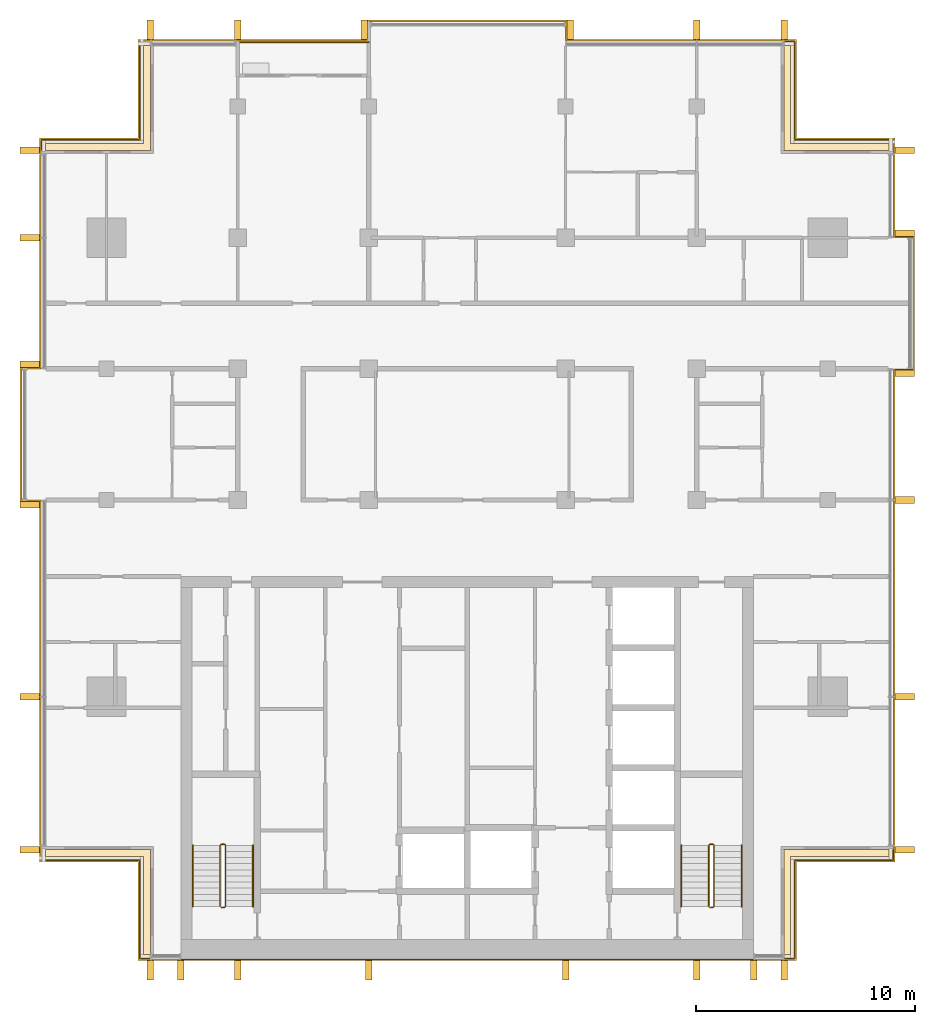
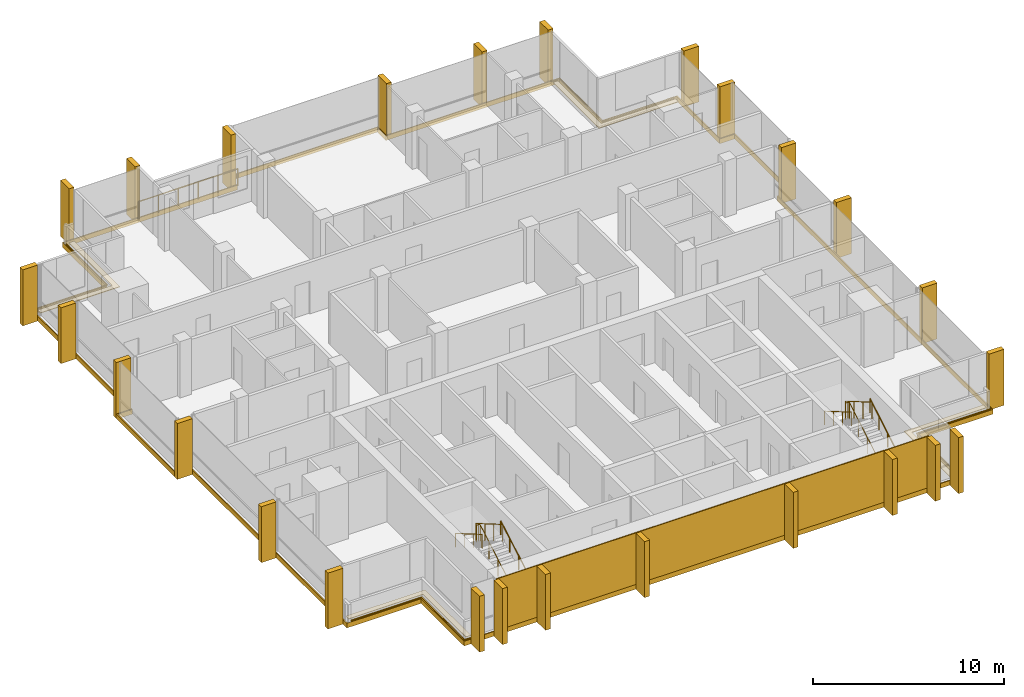
# One storey, part 16 of 16: 26 shading devices, 14 coverings, 7 railings.
"""IFC4 building model written with IfcOpenShell, lengths in metres."""

from ifc_helpers import new_model, si_unit, direction, frame, origin, origin_2d, place, context, subcontext, project, spatial, polyline, rectangle, circle, outline, extrude, material, layer, layer_set, type_object, element, save


model = new_model("IFC4")

# Units and contexts
model_context = context("Model", 3, precision=1e-05, world=origin(), true_north=direction((0.0, 1.0)))
body_context = subcontext(model_context, "Body", "Model", "MODEL_VIEW")
ifc_project = project(units=[si_unit("LENGTHUNIT", "METRE"), si_unit("AREAUNIT", "SQUARE_METRE"), si_unit("VOLUMEUNIT", "CUBIC_METRE"), si_unit("PLANEANGLEUNIT", "RADIAN"), si_unit("MASSUNIT", "GRAM", prefix="KILO")], contexts=[model_context])

# Site, building, storey
site_placement = place(None, origin())
site = spatial("IfcSite", under=ifc_project, at=site_placement, CompositionType="ELEMENT")
building_placement = place(site_placement, origin())
building = spatial("IfcBuilding", under=site, at=building_placement, Name="Finial Court Residences", CompositionType="ELEMENT")
storey_placement = place(building_placement, frame((0.0, 0.0, 255.5)))
storey = spatial("IfcBuildingStorey", under=building, at=storey_placement, Name="L64", CompositionType="ELEMENT", Elevation=255.5)

# Railing
ifc_material_1 = material(Name="Bronze anodised aluminium", Category="aluminium")
railing_type_1 = type_object("IfcRailingType", Name="Balcony guard 1100", PredefinedType="GUARDRAIL", material=ifc_material_1)
railing_1_placement = place(storey_placement, frame((-10.5, 16.449951171875, 0.0)))
element("IfcRailing", 1, at=railing_1_placement, inside=storey, type_object=railing_type_1, Name="E-L64-BALN2-R", PredefinedType="GUARDRAIL", context=body_context, shape_type="SweptSolid", body=[
    extrude(circle(Radius=0.02392578125, at=origin_2d()), frame((0.0, 0.0, 1.076171875), z_axis=(1.0, 0.0, 0.0), x_axis=(0.0, 1.0, 0.0)), (0.0, 0.0, 1.0), 6.0),
    extrude(circle(Radius=0.02099609375, at=origin_2d()), origin(), (0.0, 0.0, 1.0), 1.052001953125),
    extrude(circle(Radius=0.02099609375, at=origin_2d()), frame((1.199951171875, 0.0, 0.0)), (0.0, 0.0, 1.0), 1.052001953125),
    extrude(circle(Radius=0.02099609375, at=origin_2d()), frame((2.39990234375, 0.0, 0.0)), (0.0, 0.0, 1.0), 1.052001953125),
    extrude(circle(Radius=0.02099609375, at=origin_2d()), frame((3.60009765625, 0.0, 0.0)), (0.0, 0.0, 1.0), 1.052001953125),
    extrude(circle(Radius=0.02099609375, at=origin_2d()), frame((4.800048828125, 0.0, 0.0)), (0.0, 0.0, 1.0), 1.052001953125),
    extrude(circle(Radius=0.02099609375, at=origin_2d()), frame((6.0, 0.0, 0.0)), (0.0, 0.0, 1.0), 1.052001953125),
])

# Coverings
ifc_material_2 = material(Name="Natural limestone", Category="masonry")
ifc_layer_1 = layer(ifc_material_2, 0.06005859375)
ifc_layer_set_1 = layer_set([ifc_layer_1], Name="Limestone cladding to the blind core face 60")
covering_type_1 = type_object("IfcCoveringType", Name="Limestone cladding to the blind core face 60", PredefinedType="CLADDING", material=ifc_layer_set_1)
covering_1_placement = place(storey_placement, origin())
element("IfcCovering", 2, at=covering_1_placement, inside=storey, type_object=covering_type_1, Name="E-L64-CLAD1", PredefinedType="CLADDING", context=body_context, shape_type="SweptSolid", body=[
    extrude(outline(polyline([(-10.5, -25.56005859375), (-10.5, -25.5), (-13.10009765625, -25.5), (-13.10009765625, -25.56005859375), (-10.5, -25.56005859375)])), origin(), (0.0, 0.0, 1.0), 3.300048828125),
])
covering_2_placement = place(storey_placement, origin())
element("IfcCovering", 3, at=covering_2_placement, inside=storey, type_object=covering_type_1, Name="E-L64-CLAD2", PredefinedType="CLADDING", context=body_context, shape_type="SweptSolid", body=[
    extrude(outline(polyline([(-4.5, -25.56005859375), (-4.5, -25.5), (-10.5, -25.5), (-10.5, -25.56005859375), (-4.5, -25.56005859375)])), origin(), (0.0, 0.0, 1.0), 3.300048828125),
])
covering_3_placement = place(storey_placement, origin())
element("IfcCovering", 4, at=covering_3_placement, inside=storey, type_object=covering_type_1, Name="E-L64-CLAD3", PredefinedType="CLADDING", context=body_context, shape_type="SweptSolid", body=[
    extrude(outline(polyline([(4.5, -25.56005859375), (4.5, -25.5), (-4.5, -25.5), (-4.5, -25.56005859375), (4.5, -25.56005859375)])), origin(), (0.0, 0.0, 1.0), 3.300048828125),
])
covering_4_placement = place(storey_placement, origin())
element("IfcCovering", 5, at=covering_4_placement, inside=storey, type_object=covering_type_1, Name="E-L64-CLAD4", PredefinedType="CLADDING", context=body_context, shape_type="SweptSolid", body=[
    extrude(outline(polyline([(10.5, -25.56005859375), (10.5, -25.5), (4.5, -25.5), (4.5, -25.56005859375), (10.5, -25.56005859375)])), origin(), (0.0, 0.0, 1.0), 3.300048828125),
])
covering_5_placement = place(storey_placement, origin())
element("IfcCovering", 6, at=covering_5_placement, inside=storey, type_object=covering_type_1, Name="E-L64-CLAD5", PredefinedType="CLADDING", context=body_context, shape_type="SweptSolid", body=[
    extrude(outline(polyline([(13.10009765625, -25.56005859375), (13.10009765625, -25.5), (10.5, -25.5), (10.5, -25.56005859375), (13.10009765625, -25.56005859375)])), origin(), (0.0, 0.0, 1.0), 3.300048828125),
])

# Shading devices
shading_device_type = type_object("IfcShadingDeviceType", Name="Limestone fin 300 x 900", PredefinedType="USERDEFINED", material=ifc_material_2)
for number, where, z_axis, x_axis, name in (
    (7, (-14.5, 17.010009765625, -0.300048828125), (0.0, 0.0, 1.0), (1.0, 0.0, 0.0), "E-L64-FIN-N1"),
    (8, (-10.5, 17.010009765625, -0.300048828125), (0.0, 0.0, 1.0), (1.0, 0.0, 0.0), "E-L64-FIN-N2"),
    (9, (-4.7099609375, 17.010009765625, -0.300048828125), (0.0, 0.0, 1.0), (1.0, 0.0, 0.0), "E-L64-FIN-N3"),
    (10, (4.7099609375, 17.010009765625, -0.300048828125), (0.0, 0.0, 1.0), (1.0, 0.0, 0.0), "E-L64-FIN-N4"),
    (11, (10.5, 17.010009765625, -0.300048828125), (0.0, 0.0, 1.0), (1.0, 0.0, 0.0), "E-L64-FIN-N5"),
    (12, (14.5, 17.010009765625, -0.300048828125), (0.0, 0.0, 1.0), (1.0, 0.0, 0.0), "E-L64-FIN-N6"),
):
    element("IfcShadingDevice", number, at=place(storey_placement, frame(where, z_axis=z_axis, x_axis=x_axis)), inside=storey, type_object=shading_device_type, Name=name, ObjectType="FIN", PredefinedType="USERDEFINED", context=body_context, shape_type="SweptSolid", body=[
        extrude(rectangle(XDim=0.300048828125, YDim=0.89990234375, at=origin_2d()), origin(), (0.0, 0.0, 1.0), 3.580078125),
    ])
for number, where, z_axis, x_axis, name in (
    (13, (20.010009765625, -20.5, -0.300048828125), (0.0, 0.0, 1.0), (1.0, 0.0, 0.0), "E-L64-FIN-E7"),
    (14, (20.010009765625, -13.5, -0.300048828125), (0.0, 0.0, 1.0), (1.0, 0.0, 0.0), "E-L64-FIN-E8"),
    (15, (20.010009765625, -4.5, -0.300048828125), (0.0, 0.0, 1.0), (1.0, 0.0, 0.0), "E-L64-FIN-E9"),
    (16, (20.010009765625, 1.2900390625, -0.300048828125), (0.0, 0.0, 1.0), (1.0, 0.0, 0.0), "E-L64-FIN-E10"),
    (17, (20.010009765625, 7.7099609375, -0.300048828125), (0.0, 0.0, 1.0), (1.0, 0.0, 0.0), "E-L64-FIN-E11"),
    (18, (20.010009765625, 11.5, -0.300048828125), (0.0, 0.0, 1.0), (1.0, 0.0, 0.0), "E-L64-FIN-E12"),
):
    element("IfcShadingDevice", number, at=place(storey_placement, frame(where, z_axis=z_axis, x_axis=x_axis)), inside=storey, type_object=shading_device_type, Name=name, ObjectType="FIN", PredefinedType="USERDEFINED", context=body_context, shape_type="SweptSolid", body=[
        extrude(rectangle(XDim=0.89990234375, YDim=0.300048828125, at=origin_2d()), origin(), (0.0, 0.0, 1.0), 3.580078125),
    ])
for number, where, z_axis, x_axis, name in (
    (19, (-14.5, -26.010009765625, -0.300048828125), (0.0, 0.0, 1.0), (1.0, 0.0, 0.0), "E-L64-FIN-S13"),
    (20, (-13.10009765625, -26.010009765625, -0.300048828125), (0.0, 0.0, 1.0), (1.0, 0.0, 0.0), "E-L64-FIN-S14"),
    (21, (-10.5, -26.010009765625, -0.300048828125), (0.0, 0.0, 1.0), (1.0, 0.0, 0.0), "E-L64-FIN-S15"),
    (22, (-4.5, -26.010009765625, -0.300048828125), (0.0, 0.0, 1.0), (1.0, 0.0, 0.0), "E-L64-FIN-S16"),
    (23, (4.5, -26.010009765625, -0.300048828125), (0.0, 0.0, 1.0), (1.0, 0.0, 0.0), "E-L64-FIN-S17"),
    (24, (10.5, -26.010009765625, -0.300048828125), (0.0, 0.0, 1.0), (1.0, 0.0, 0.0), "E-L64-FIN-S18"),
    (25, (13.10009765625, -26.010009765625, -0.300048828125), (0.0, 0.0, 1.0), (1.0, 0.0, 0.0), "E-L64-FIN-S19"),
    (26, (14.5, -26.010009765625, -0.300048828125), (0.0, 0.0, 1.0), (1.0, 0.0, 0.0), "E-L64-FIN-S20"),
):
    element("IfcShadingDevice", number, at=place(storey_placement, frame(where, z_axis=z_axis, x_axis=x_axis)), inside=storey, type_object=shading_device_type, Name=name, ObjectType="FIN", PredefinedType="USERDEFINED", context=body_context, shape_type="SweptSolid", body=[
        extrude(rectangle(XDim=0.300048828125, YDim=0.89990234375, at=origin_2d()), origin(), (0.0, 0.0, 1.0), 3.580078125),
    ])
for number, where, z_axis, x_axis, name in (
    (27, (-20.010009765625, -20.5, -0.300048828125), (0.0, 0.0, 1.0), (1.0, 0.0, 0.0), "E-L64-FIN-W21"),
    (28, (-20.010009765625, -13.5, -0.300048828125), (0.0, 0.0, 1.0), (1.0, 0.0, 0.0), "E-L64-FIN-W22"),
    (29, (-20.010009765625, -4.7099609375, -0.300048828125), (0.0, 0.0, 1.0), (1.0, 0.0, 0.0), "E-L64-FIN-W23"),
    (30, (-20.010009765625, 1.7099609375, -0.300048828125), (0.0, 0.0, 1.0), (1.0, 0.0, 0.0), "E-L64-FIN-W24"),
    (31, (-20.010009765625, 7.5, -0.300048828125), (0.0, 0.0, 1.0), (1.0, 0.0, 0.0), "E-L64-FIN-W25"),
    (32, (-20.010009765625, 11.5, -0.300048828125), (0.0, 0.0, 1.0), (1.0, 0.0, 0.0), "E-L64-FIN-W26"),
):
    element("IfcShadingDevice", number, at=place(storey_placement, frame(where, z_axis=z_axis, x_axis=x_axis)), inside=storey, type_object=shading_device_type, Name=name, ObjectType="FIN", PredefinedType="USERDEFINED", context=body_context, shape_type="SweptSolid", body=[
        extrude(rectangle(XDim=0.89990234375, YDim=0.300048828125, at=origin_2d()), origin(), (0.0, 0.0, 1.0), 3.580078125),
    ])

# Coverings
ifc_material_3 = material(Name="Pale limestone", Category="masonry")
ifc_layer_2 = layer(ifc_material_3, 0.06005859375)
ifc_layer_set_2 = layer_set([ifc_layer_2], Name="Pale limestone slab-edge band 60")
covering_type_2 = type_object("IfcCoveringType", Name="Pale limestone slab-edge band 60", PredefinedType="CLADDING", material=ifc_layer_set_2)
covering_6_placement = place(storey_placement, frame((0.0, 0.0, -0.300048828125)))
element("IfcCovering", 33, at=covering_6_placement, inside=storey, type_object=covering_type_2, Name="E-L64-BAND1", PredefinedType="CLADDING", context=body_context, shape_type="SweptSolid", body=[
    extrude(outline(polyline([(-20.4599609375, -4.56005859375), (-20.4599609375, 1.56005859375), (-19.56005859375, 1.56005859375), (-19.56005859375, 12.06005859375), (-15.06005859375, 12.06005859375), (-15.06005859375, 16.56005859375), (-4.56005859375, 16.56005859375), (-4.56005859375, 17.4599609375), (4.56005859375, 17.4599609375), (4.56005859375, 16.56005859375), (15.06005859375, 16.56005859375), (15.06005859375, 12.06005859375), (19.56005859375, 12.06005859375), (19.56005859375, 7.56005859375), (20.4599609375, 7.56005859375), (20.4599609375, 1.43994140625), (19.56005859375, 1.43994140625), (19.56005859375, -21.06005859375), (15.06005859375, -21.06005859375), (15.06005859375, -25.56005859375), (-15.06005859375, -25.56005859375), (-15.06005859375, -21.06005859375), (-19.56005859375, -21.06005859375), (-19.56005859375, -4.56005859375), (-20.4599609375, -4.56005859375)]), holes=[polyline([(-19.5, -21.0), (-15.0, -21.0), (-15.0, -25.5), (-14.5, -25.5), (14.5, -25.5), (15.0, -25.5), (15.0, -21.0), (19.5, -21.0), (19.5, -20.5), (19.5, 1.5), (20.39990234375, 1.5), (20.39990234375, 7.5), (19.5, 7.5), (19.5, 11.5), (19.5, 12.0), (15.0, 12.0), (15.0, 16.5), (14.5, 16.5), (4.5, 16.5), (4.5, 17.39990234375), (-4.5, 17.39990234375), (-4.5, 16.5), (-10.5, 16.5), (-14.5, 16.5), (-15.0, 16.5), (-15.0, 12.0), (-19.5, 12.0), (-19.5, 11.5), (-19.5, 1.5), (-20.39990234375, 1.5), (-20.39990234375, -4.5), (-19.5, -4.5), (-19.5, -20.5), (-19.5, -21.0)])]), origin(), (0.0, 0.0, 1.0), 0.300048828125),
])
ifc_material_4 = material(Name="Bitumen membrane")
ifc_layer_3 = layer(ifc_material_4, 0.0400390625)
ifc_layer_set_3 = layer_set([ifc_layer_3], Name="Push box roofing, bitumen membrane 40")
covering_type_3 = type_object("IfcCoveringType", Name="Push box roofing, bitumen membrane 40", PredefinedType="ROOFING", material=ifc_layer_set_3)
covering_7_placement = place(storey_placement, origin())
element("IfcCovering", 34, at=covering_7_placement, inside=storey, type_object=covering_type_3, Name="E-L64-LED1", PredefinedType="ROOFING", context=body_context, shape_type="SweptSolid", body=[
    extrude(outline(polyline([(19.300048828125, -20.5), (19.300048828125, -20.800048828125), (14.800048828125, -20.800048828125), (14.800048828125, -20.949951171875), (14.800048828125, -25.300048828125), (14.5, -25.300048828125), (14.5, -20.5), (19.300048828125, -20.5)])), origin(), (0.0, 0.0, 1.0), 0.0400390625),
])
covering_8_placement = place(storey_placement, origin())
element("IfcCovering", 35, at=covering_8_placement, inside=storey, type_object=covering_type_3, Name="E-L64-LED1b", PredefinedType="ROOFING", context=body_context, shape_type="SweptSolid", body=[
    extrude(outline(polyline([(19.5, -20.5), (19.5, -21.0), (15.0, -21.0), (15.0, -25.5), (14.5, -25.5), (14.5, -25.449951171875), (14.800048828125, -25.449951171875), (14.949951171875, -25.449951171875), (14.949951171875, -20.949951171875), (19.300048828125, -20.949951171875), (19.449951171875, -20.949951171875), (19.449951171875, -20.5), (19.5, -20.5)])), origin(), (0.0, 0.0, 1.0), 0.0400390625),
])
covering_9_placement = place(storey_placement, origin())
element("IfcCovering", 36, at=covering_9_placement, inside=storey, type_object=covering_type_3, Name="E-L64-LED2c", PredefinedType="ROOFING", context=body_context, shape_type="SweptSolid", body=[
    extrude(outline(polyline([(-14.5, -20.5), (-14.5, -25.300048828125), (-14.800048828125, -25.300048828125), (-14.800048828125, -20.800048828125), (-14.949951171875, -20.800048828125), (-19.300048828125, -20.800048828125), (-19.300048828125, -20.5), (-14.5, -20.5)])), origin(), (0.0, 0.0, 1.0), 0.0400390625),
])
covering_10_placement = place(storey_placement, origin())
element("IfcCovering", 37, at=covering_10_placement, inside=storey, type_object=covering_type_3, Name="E-L64-LED2d", PredefinedType="ROOFING", context=body_context, shape_type="SweptSolid", body=[
    extrude(outline(polyline([(-14.5, -25.5), (-15.0, -25.5), (-15.0, -21.0), (-19.300048828125, -21.0), (-19.300048828125, -20.949951171875), (-14.949951171875, -20.949951171875), (-14.949951171875, -25.300048828125), (-14.949951171875, -25.449951171875), (-14.5, -25.449951171875), (-14.5, -25.5)])), origin(), (0.0, 0.0, 1.0), 0.0400390625),
])
covering_11_placement = place(storey_placement, origin())
element("IfcCovering", 38, at=covering_11_placement, inside=storey, type_object=covering_type_3, Name="E-L64-LED3c", PredefinedType="ROOFING", context=body_context, shape_type="SweptSolid", body=[
    extrude(outline(polyline([(-14.5, 11.5), (-19.300048828125, 11.5), (-19.300048828125, 11.800048828125), (-14.800048828125, 11.800048828125), (-14.800048828125, 11.949951171875), (-14.800048828125, 16.300048828125), (-14.5, 16.300048828125), (-14.5, 11.5)])), origin(), (0.0, 0.0, 1.0), 0.0400390625),
])
covering_12_placement = place(storey_placement, origin())
element("IfcCovering", 39, at=covering_12_placement, inside=storey, type_object=covering_type_3, Name="E-L64-LED3d", PredefinedType="ROOFING", context=body_context, shape_type="SweptSolid", body=[
    extrude(outline(polyline([(-19.5, 11.5), (-19.5, 12.0), (-15.0, 12.0), (-15.0, 16.300048828125), (-14.949951171875, 16.300048828125), (-14.949951171875, 11.949951171875), (-19.300048828125, 11.949951171875), (-19.449951171875, 11.949951171875), (-19.449951171875, 11.5), (-19.5, 11.5)])), origin(), (0.0, 0.0, 1.0), 0.0400390625),
])
covering_13_placement = place(storey_placement, origin())
element("IfcCovering", 40, at=covering_13_placement, inside=storey, type_object=covering_type_3, Name="E-L64-LED4c", PredefinedType="ROOFING", context=body_context, shape_type="SweptSolid", body=[
    extrude(outline(polyline([(14.5, 11.5), (14.5, 16.300048828125), (14.800048828125, 16.300048828125), (14.800048828125, 11.800048828125), (14.949951171875, 11.800048828125), (19.300048828125, 11.800048828125), (19.300048828125, 11.5), (14.5, 11.5)])), origin(), (0.0, 0.0, 1.0), 0.0400390625),
])
covering_14_placement = place(storey_placement, origin())
element("IfcCovering", 41, at=covering_14_placement, inside=storey, type_object=covering_type_3, Name="E-L64-LED4d", PredefinedType="ROOFING", context=body_context, shape_type="SweptSolid", body=[
    extrude(outline(polyline([(14.5, 16.5), (15.0, 16.5), (15.0, 12.0), (19.300048828125, 12.0), (19.300048828125, 11.949951171875), (14.949951171875, 11.949951171875), (14.949951171875, 16.300048828125), (14.949951171875, 16.449951171875), (14.5, 16.449951171875), (14.5, 16.5)])), origin(), (0.0, 0.0, 1.0), 0.0400390625),
])

# Railings
ifc_material_5 = material(Name="Stainless steel railing", Category="steel")
railing_type_2 = type_object("IfcRailingType", Name="Stair guard 1100", PredefinedType="GUARDRAIL", material=ifc_material_5)
railing_2_placement = place(storey_placement, frame((-11.10009765625, -23.14990234375, 0.0)))
element("IfcRailing", 42, at=railing_2_placement, inside=storey, type_object=railing_type_2, Name="L64 ST-1 stair guard 1", PredefinedType="GUARDRAIL", context=body_context, shape_type="SweptSolid", body=[
    extrude(circle(Radius=0.02392578125, at=origin_2d()), frame((0.0, 0.0, 1.076171875), z_axis=(-1.0, 0.0, 0.0), x_axis=(0.0, -1.0, 0.0)), (0.0, 0.0, 1.0), 0.14990234375),
    extrude(circle(Radius=0.02392578125, at=origin_2d()), frame((-0.14990234375, 0.0, 1.076171875), z_axis=(0.760004195007, 0.189305074214, 0.621737253547), x_axis=(-0.241699205484, 0.970351222016, 0.0)), (0.0, 0.0, 1.0), 0.26318359375),
    extrude(circle(Radius=0.02392578125, at=origin_2d()), frame((0.050048828125, 0.0498046875, 1.23974609375), z_axis=(0.0, 0.863360870873, 0.504586966384), x_axis=(-1.0, 0.0, 0.0)), (0.0, 0.0, 1.0), 3.2431640625),
    extrude(circle(Radius=0.02392578125, at=origin_2d()), frame((0.050048828125, 2.849853515625, 2.8759765625), z_axis=(-0.707106781187, 0.707106781187, 0.0), x_axis=(-0.707106781187, -0.707106781187, 0.0)), (0.0, 0.0, 1.0), 0.07080078125),
    extrude(circle(Radius=0.02392578125, at=origin_2d()), frame((0.0, 2.89990234375, 2.8759765625), z_axis=(-1.0, 0.0, 0.0), x_axis=(0.0, -1.0, 0.0)), (0.0, 0.0, 1.0), 0.14990234375),
    extrude(circle(Radius=0.02392578125, at=origin_2d()), frame((-0.14990234375, 2.89990234375, 2.8759765625), z_axis=(-0.280808744504, -0.280808744504, 0.917765164963), x_axis=(0.707106781187, -0.707106781187, 0.0)), (0.0, 0.0, 1.0), 0.17822265625),
    extrude(circle(Radius=0.02392578125, at=origin_2d()), frame((-0.199951171875, 2.849853515625, 3.03955078125), z_axis=(0.0, -0.863360870873, 0.504586966384), x_axis=(1.0, 0.0, 0.0)), (0.0, 0.0, 1.0), 3.2431640625),
    extrude(circle(Radius=0.02099609375, at=origin_2d()), origin(), (0.0, 0.0, 1.0), 1.052001953125),
    extrude(circle(Radius=0.02099609375, at=origin_2d()), frame((-0.14990234375, 0.0, 0.0)), (0.0, 0.0, 1.0), 1.052001953125),
    extrude(circle(Radius=0.02099609375, at=origin_2d()), frame((0.050048828125, 0.0498046875, 0.16357421875)), (0.0, 0.0, 1.0), 1.052001953125),
    extrude(circle(Radius=0.02099609375, at=origin_2d()), frame((0.050048828125, 0.983154296875, 0.708984375)), (0.0, 0.0, 1.0), 1.052001953125),
    extrude(circle(Radius=0.02099609375, at=origin_2d()), frame((0.050048828125, 1.91650390625, 1.254638671875)), (0.0, 0.0, 1.0), 1.052001953125),
    extrude(circle(Radius=0.02099609375, at=origin_2d()), frame((0.050048828125, 2.849853515625, 1.800048828125)), (0.0, 0.0, 1.0), 1.052001953125),
    extrude(circle(Radius=0.02099609375, at=origin_2d()), frame((0.0, 2.89990234375, 1.800048828125)), (0.0, 0.0, 1.0), 1.052001953125),
    extrude(circle(Radius=0.02099609375, at=origin_2d()), frame((-0.14990234375, 2.89990234375, 1.800048828125)), (0.0, 0.0, 1.0), 1.052001953125),
    extrude(circle(Radius=0.02099609375, at=origin_2d()), frame((-0.199951171875, 2.849853515625, 1.963623046875)), (0.0, 0.0, 1.0), 1.052001953125),
    extrude(circle(Radius=0.02099609375, at=origin_2d()), frame((-0.199951171875, 1.91650390625, 2.509033203125)), (0.0, 0.0, 1.0), 1.052001953125),
    extrude(circle(Radius=0.02099609375, at=origin_2d()), frame((-0.199951171875, 0.983154296875, 3.0546875)), (0.0, 0.0, 1.0), 1.052001953125),
    extrude(circle(Radius=0.02099609375, at=origin_2d()), frame((-0.199951171875, 0.0498046875, 3.60009765625)), (0.0, 0.0, 1.0), 1.052001953125),
])
railing_3_placement = place(storey_placement, frame((11.25, -23.14990234375, 0.0)))
element("IfcRailing", 43, at=railing_3_placement, inside=storey, type_object=railing_type_2, Name="L64 ST-2 stair guard 1", PredefinedType="GUARDRAIL", context=body_context, shape_type="SweptSolid", body=[
    extrude(circle(Radius=0.02392578125, at=origin_2d()), frame((0.0, 0.0, 1.076171875), z_axis=(-1.0, 0.0, 0.0), x_axis=(0.0, -1.0, 0.0)), (0.0, 0.0, 1.0), 0.14990234375),
    extrude(circle(Radius=0.02392578125, at=origin_2d()), frame((-0.14990234375, 0.0, 1.076171875), z_axis=(0.760004195007, 0.189305074214, 0.621737253547), x_axis=(-0.241699205484, 0.970351222016, 0.0)), (0.0, 0.0, 1.0), 0.26318359375),
    extrude(circle(Radius=0.02392578125, at=origin_2d()), frame((0.050048828125, 0.0498046875, 1.23974609375), z_axis=(0.0, 0.863360870873, 0.504586966384), x_axis=(-1.0, 0.0, 0.0)), (0.0, 0.0, 1.0), 3.2431640625),
    extrude(circle(Radius=0.02392578125, at=origin_2d()), frame((0.050048828125, 2.849853515625, 2.8759765625), z_axis=(-0.707106781187, 0.707106781187, 0.0), x_axis=(-0.707106781187, -0.707106781187, 0.0)), (0.0, 0.0, 1.0), 0.07080078125),
    extrude(circle(Radius=0.02392578125, at=origin_2d()), frame((0.0, 2.89990234375, 2.8759765625), z_axis=(-1.0, 0.0, 0.0), x_axis=(0.0, -1.0, 0.0)), (0.0, 0.0, 1.0), 0.14990234375),
    extrude(circle(Radius=0.02392578125, at=origin_2d()), frame((-0.14990234375, 2.89990234375, 2.8759765625), z_axis=(-0.280808744504, -0.280808744504, 0.917765164963), x_axis=(0.707106781187, -0.707106781187, 0.0)), (0.0, 0.0, 1.0), 0.17822265625),
    extrude(circle(Radius=0.02392578125, at=origin_2d()), frame((-0.199951171875, 2.849853515625, 3.03955078125), z_axis=(0.0, -0.863360870873, 0.504586966384), x_axis=(1.0, 0.0, 0.0)), (0.0, 0.0, 1.0), 3.2431640625),
    extrude(circle(Radius=0.02099609375, at=origin_2d()), origin(), (0.0, 0.0, 1.0), 1.052001953125),
    extrude(circle(Radius=0.02099609375, at=origin_2d()), frame((-0.14990234375, 0.0, 0.0)), (0.0, 0.0, 1.0), 1.052001953125),
    extrude(circle(Radius=0.02099609375, at=origin_2d()), frame((0.050048828125, 0.0498046875, 0.16357421875)), (0.0, 0.0, 1.0), 1.052001953125),
    extrude(circle(Radius=0.02099609375, at=origin_2d()), frame((0.050048828125, 0.983154296875, 0.708984375)), (0.0, 0.0, 1.0), 1.052001953125),
    extrude(circle(Radius=0.02099609375, at=origin_2d()), frame((0.050048828125, 1.91650390625, 1.254638671875)), (0.0, 0.0, 1.0), 1.052001953125),
    extrude(circle(Radius=0.02099609375, at=origin_2d()), frame((0.050048828125, 2.849853515625, 1.800048828125)), (0.0, 0.0, 1.0), 1.052001953125),
    extrude(circle(Radius=0.02099609375, at=origin_2d()), frame((0.0, 2.89990234375, 1.800048828125)), (0.0, 0.0, 1.0), 1.052001953125),
    extrude(circle(Radius=0.02099609375, at=origin_2d()), frame((-0.14990234375, 2.89990234375, 1.800048828125)), (0.0, 0.0, 1.0), 1.052001953125),
    extrude(circle(Radius=0.02099609375, at=origin_2d()), frame((-0.199951171875, 2.849853515625, 1.963623046875)), (0.0, 0.0, 1.0), 1.052001953125),
    extrude(circle(Radius=0.02099609375, at=origin_2d()), frame((-0.199951171875, 1.91650390625, 2.509033203125)), (0.0, 0.0, 1.0), 1.052001953125),
    extrude(circle(Radius=0.02099609375, at=origin_2d()), frame((-0.199951171875, 0.983154296875, 3.0546875)), (0.0, 0.0, 1.0), 1.052001953125),
    extrude(circle(Radius=0.02099609375, at=origin_2d()), frame((-0.199951171875, 0.0498046875, 3.60009765625)), (0.0, 0.0, 1.0), 1.052001953125),
])
railing_type_3 = type_object("IfcRailingType", Name="Stair handrail 900", PredefinedType="HANDRAIL", material=ifc_material_5)
railing_4_placement = place(storey_placement, frame((-9.800048828125, -23.10009765625, 0.16357421875)))
element("IfcRailing", 44, at=railing_4_placement, inside=storey, type_object=railing_type_3, Name="L64 ST-1 stair handrail 1", PredefinedType="HANDRAIL", context=body_context, shape_type="SweptSolid", body=[
    extrude(circle(Radius=0.02392578125, at=origin_2d()), frame((0.0, 0.0, 0.8759765625), z_axis=(0.0, 0.863360870873, 0.504586966384), x_axis=(-1.0, 0.0, 0.0)), (0.0, 0.0, 1.0), 3.2431640625),
    extrude(circle(Radius=0.02099609375, at=origin_2d()), origin(), (0.0, 0.0, 1.0), 0.851806640625),
    extrude(circle(Radius=0.02099609375, at=origin_2d()), frame((0.0, 0.933349609375, 0.54541015625)), (0.0, 0.0, 1.0), 0.851806640625),
    extrude(circle(Radius=0.02099609375, at=origin_2d()), frame((0.0, 1.86669921875, 1.091064453125)), (0.0, 0.0, 1.0), 0.851806640625),
    extrude(circle(Radius=0.02099609375, at=origin_2d()), frame((0.0, 2.800048828125, 1.636474609375)), (0.0, 0.0, 1.0), 0.851806640625),
])
railing_5_placement = place(storey_placement, frame((-12.550048828125, -20.300048828125, 1.963623046875)))
element("IfcRailing", 45, at=railing_5_placement, inside=storey, type_object=railing_type_3, Name="L64 ST-1 stair handrail 2", PredefinedType="HANDRAIL", context=body_context, shape_type="SweptSolid", body=[
    extrude(circle(Radius=0.02392578125, at=origin_2d()), frame((0.0, 0.0, 0.8759765625), z_axis=(0.0, -0.863360870873, 0.504586966384), x_axis=(1.0, 0.0, 0.0)), (0.0, 0.0, 1.0), 3.2431640625),
    extrude(circle(Radius=0.02099609375, at=origin_2d()), origin(), (0.0, 0.0, 1.0), 0.851806640625),
    extrude(circle(Radius=0.02099609375, at=origin_2d()), frame((0.0, -0.933349609375, 0.54541015625)), (0.0, 0.0, 1.0), 0.851806640625),
    extrude(circle(Radius=0.02099609375, at=origin_2d()), frame((0.0, -1.86669921875, 1.091064453125)), (0.0, 0.0, 1.0), 0.851806640625),
    extrude(circle(Radius=0.02099609375, at=origin_2d()), frame((0.0, -2.800048828125, 1.636474609375)), (0.0, 0.0, 1.0), 0.851806640625),
])
railing_6_placement = place(storey_placement, frame((12.550048828125, -23.10009765625, 0.16357421875)))
element("IfcRailing", 46, at=railing_6_placement, inside=storey, type_object=railing_type_3, Name="L64 ST-2 stair handrail 1", PredefinedType="HANDRAIL", context=body_context, shape_type="SweptSolid", body=[
    extrude(circle(Radius=0.02392578125, at=origin_2d()), frame((0.0, 0.0, 0.8759765625), z_axis=(0.0, 0.863360870873, 0.504586966384), x_axis=(-1.0, 0.0, 0.0)), (0.0, 0.0, 1.0), 3.2431640625),
    extrude(circle(Radius=0.02099609375, at=origin_2d()), origin(), (0.0, 0.0, 1.0), 0.851806640625),
    extrude(circle(Radius=0.02099609375, at=origin_2d()), frame((0.0, 0.933349609375, 0.54541015625)), (0.0, 0.0, 1.0), 0.851806640625),
    extrude(circle(Radius=0.02099609375, at=origin_2d()), frame((0.0, 1.86669921875, 1.091064453125)), (0.0, 0.0, 1.0), 0.851806640625),
    extrude(circle(Radius=0.02099609375, at=origin_2d()), frame((0.0, 2.800048828125, 1.636474609375)), (0.0, 0.0, 1.0), 0.851806640625),
])
railing_7_placement = place(storey_placement, frame((9.800048828125, -20.300048828125, 1.963623046875)))
element("IfcRailing", 47, at=railing_7_placement, inside=storey, type_object=railing_type_3, Name="L64 ST-2 stair handrail 2", PredefinedType="HANDRAIL", context=body_context, shape_type="SweptSolid", body=[
    extrude(circle(Radius=0.02392578125, at=origin_2d()), frame((0.0, 0.0, 0.8759765625), z_axis=(0.0, -0.863360870873, 0.504586966384), x_axis=(1.0, 0.0, 0.0)), (0.0, 0.0, 1.0), 3.2431640625),
    extrude(circle(Radius=0.02099609375, at=origin_2d()), origin(), (0.0, 0.0, 1.0), 0.851806640625),
    extrude(circle(Radius=0.02099609375, at=origin_2d()), frame((0.0, -0.933349609375, 0.54541015625)), (0.0, 0.0, 1.0), 0.851806640625),
    extrude(circle(Radius=0.02099609375, at=origin_2d()), frame((0.0, -1.86669921875, 1.091064453125)), (0.0, 0.0, 1.0), 0.851806640625),
    extrude(circle(Radius=0.02099609375, at=origin_2d()), frame((0.0, -2.800048828125, 1.636474609375)), (0.0, 0.0, 1.0), 0.851806640625),
])

save(model, "model.ifc")
